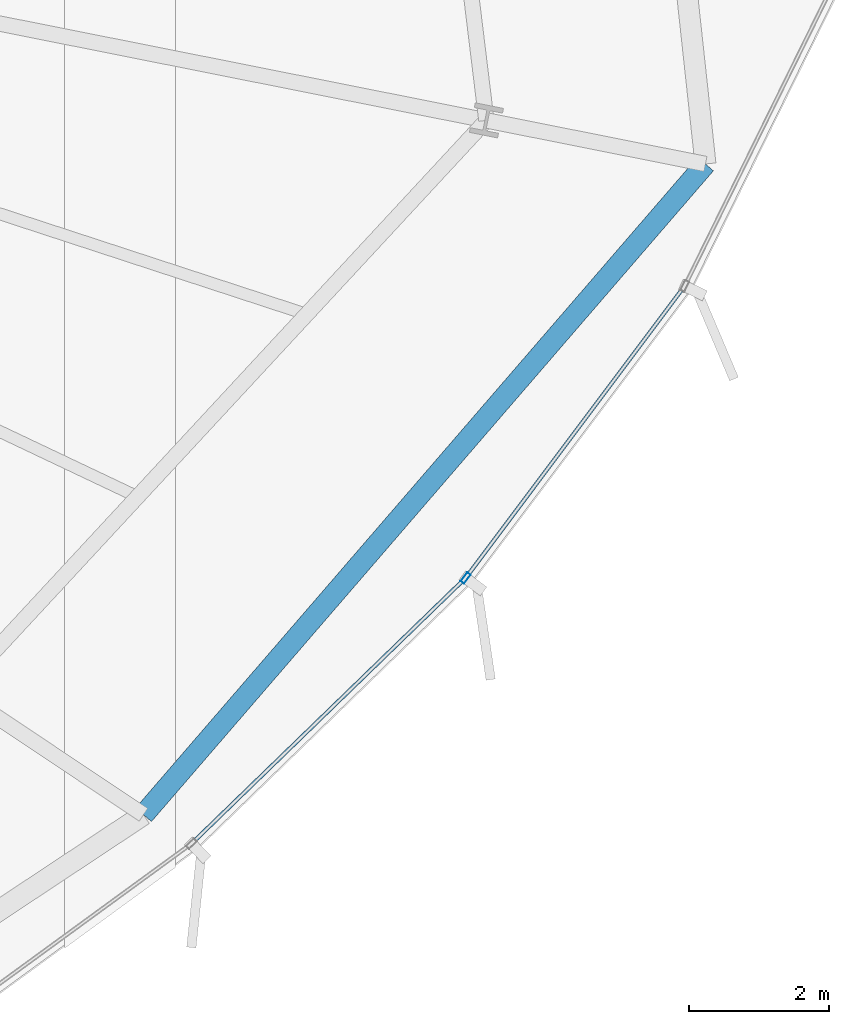
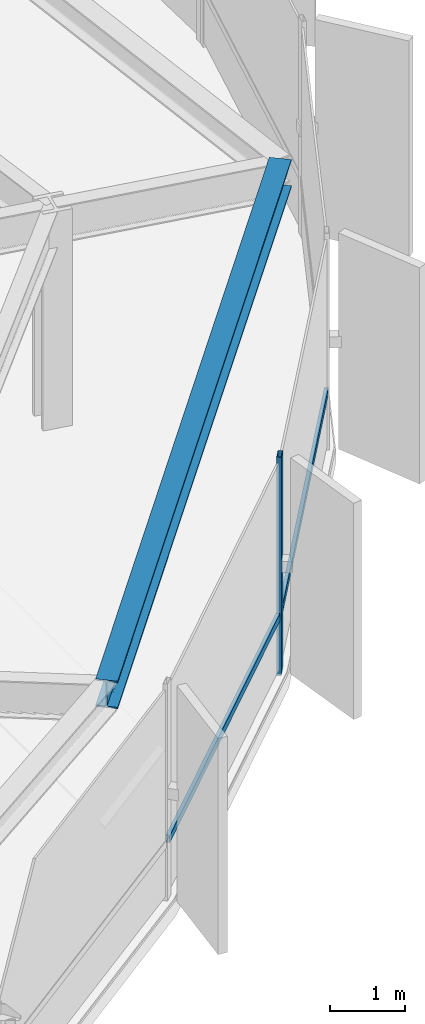
# One storey, part 13 of 38: 3 members, 1 beam, 1 element without a shape of its own.
"""IFC4 building model written with IfcOpenShell, lengths in metres."""

from ifc_helpers import new_model, si_unit, direction, frame, origin, origin_2d, place, context, subcontext, project, spatial, hollow_rectangle, i_section, extrude, source, transform, mapped, material, layer, layer_set, material_profile, profile_set, type_object, element, aggregate, save


model = new_model("IFC4")

# Units and contexts
model_context = context("Model", 3, precision=1e-05, world=origin(), true_north=direction((0.0, 1.0)))
body_context = subcontext(model_context, "Body", "Model", "MODEL_VIEW")
ifc_project = project(units=[si_unit("LENGTHUNIT", "METRE"), si_unit("AREAUNIT", "SQUARE_METRE"), si_unit("VOLUMEUNIT", "CUBIC_METRE"), si_unit("PLANEANGLEUNIT", "RADIAN"), si_unit("MASSUNIT", "GRAM", prefix="KILO"), si_unit("THERMODYNAMICTEMPERATUREUNIT", "KELVIN")], contexts=[model_context])

# Site, building, storey
site_placement = place(None, origin())
site = spatial("IfcSite", under=ifc_project, at=site_placement, CompositionType="ELEMENT")
building_placement = place(site_placement, origin())
building = spatial("IfcBuilding", under=site, at=building_placement, Name="Kethvar Cultural Tower", CompositionType="ELEMENT")
storey_placement = place(building_placement, frame((0.0, 0.0, 67.60009765625)))
storey = spatial("IfcBuildingStorey", under=building, at=storey_placement, Name="L16", CompositionType="ELEMENT", Elevation=67.60009765625)

# Beam
ifc_material_1 = material(Name="Steel S355J2", Category="steel")
ifc_material_profile_1 = material_profile(ifc_material_1, i_section(OverallWidth=0.300048828125, OverallDepth=0.449951171875, WebThickness=0.013916015625, FlangeThickness=0.02587890625, FilletRadius=0.027099609375, at=origin_2d()), Name="Steel S355J2 — HEB450")
ifc_profile_set_1 = profile_set([ifc_material_profile_1], Name="Steel S355J2 — HEB450")
beam_type = type_object("IfcBeamType", Name="BM-SP450", PredefinedType="SPANDREL", material=ifc_profile_set_1)
shared_shape_1 = source(origin(), body_context, "Body", "SweptSolid", [
    extrude(i_section(OverallWidth=0.300048828125, OverallDepth=0.449951171875, WebThickness=0.013916015625, FlangeThickness=0.02587890625, FilletRadius=0.027099609375, at=origin_2d()), origin(), (0.0, 0.0, 1.0), 12.3173828125),
])
beam_placement = place(storey_placement, frame((70.0791015625, 12.24560546875, 3.322998046875), z_axis=(0.653586327045, 0.756851975686, 0.0), x_axis=(-0.756851975686, 0.653586327045, 0.0)))
element("IfcBeam", 1, at=beam_placement, inside=storey, type_object=beam_type, Name="L16 Perimeter Spandrel Beam SP-15", PredefinedType="SPANDREL", context=body_context, shape_type="MappedRepresentation", body=[
    mapped(shared_shape_1, transform((0.0, 0.0, 0.0), scale=1.0)),
])

# Curtain wall, members
ifc_material_2 = material(Name="Aluminium 6063-T6", Category="aluminium")
ifc_layer = layer(ifc_material_2, 0.179931640625, Name="Aluminium 6063-T6", Category="aluminium")
ifc_layer_set = layer_set([ifc_layer], Name="Aluminium 6063-T6 (180 mm)")
curtain_wall_type = type_object("IfcCurtainWallType", Name="CW-SYS-02-Z1", PredefinedType="NOTDEFINED", material=ifc_layer_set)
curtain_wall_placement = place(storey_placement, origin())
curtain_wall = element("IfcCurtainWall", 2, at=curtain_wall_placement, inside=storey, type_object=curtain_wall_type, Name="L16 Curtain Wall Run 06", PredefinedType="NOTDEFINED")
ifc_material_profile_2 = material_profile(ifc_material_2, hollow_rectangle(XDim=0.06494140625, YDim=0.159912109375, WallThickness=0.0048828125, at=origin_2d()), Name="Aluminium 6063-T6 — RHS160x65x5")
ifc_profile_set_2 = profile_set([ifc_material_profile_2], Name="Aluminium 6063-T6 — RHS160x65x5")
member_type_1 = type_object("IfcMemberType", Name="CW-SYS-02-Z1-MUL", PredefinedType="MULLION", material=ifc_profile_set_2)
shared_shape_2 = source(origin(), body_context, "Body", "SweptSolid", [
    extrude(hollow_rectangle(XDim=0.06494140625, YDim=0.159912109375, WallThickness=0.0048828125, at=origin_2d()), origin(), (0.0, 0.0, 1.0), 3.5498046875),
])
member_1_placement = place(storey_placement, frame((74.69384765625, 15.63671875, 0.0), z_axis=(0.0, 0.0, 1.0), x_axis=(-0.800082696354, 0.599889722362, 0.0)))
member_1 = element("IfcMember", 3, at=member_1_placement, type_object=member_type_1, Name="CW-L16-R06 Mullion 4", PredefinedType="MULLION", context=body_context, shape_type="MappedRepresentation", body=[
    mapped(shared_shape_2, transform((0.0, 0.0, 0.0), scale=1.0)),
])
ifc_material_profile_3 = material_profile(ifc_material_2, hollow_rectangle(XDim=0.054931640625, YDim=0.1201171875, WallThickness=0.00390625, at=origin_2d()), Name="Aluminium 6063-T6 — RHS120x55x4")
ifc_profile_set_3 = profile_set([ifc_material_profile_3], Name="Aluminium 6063-T6 — RHS120x55x4")
member_type_2 = type_object("IfcMemberType", Name="CW-SYS-02-Z1-TRN", PredefinedType="USERDEFINED", material=ifc_profile_set_3)
shared_shape_3 = source(origin(), body_context, "Body", "SweptSolid", [
    extrude(hollow_rectangle(XDim=0.054931640625, YDim=0.1201171875, WallThickness=0.00390625, at=origin_2d()), origin(), (0.0, 0.0, 1.0), 5.157958984375),
])
member_2_placement = place(storey_placement, frame((74.721923828125, 15.674072265625, 0.949951171875), z_axis=(0.599901542308, 0.800073833803, 0.0), x_axis=(-0.800073833803, 0.599901542308, 0.0)))
member_2 = element("IfcMember", 4, at=member_2_placement, type_object=member_type_2, Name="CW-L16-R06 Transom 4", ObjectType="TRANSOM", PredefinedType="USERDEFINED", context=body_context, shape_type="MappedRepresentation", body=[
    mapped(shared_shape_3, transform((0.0, 0.0, 0.0), scale=1.0)),
])
shared_shape_4 = source(origin(), body_context, "Body", "SweptSolid", [
    extrude(hollow_rectangle(XDim=0.054931640625, YDim=0.1201171875, WallThickness=0.00390625, at=origin_2d()), origin(), (0.0, 0.0, 1.0), 5.394775390625),
])
member_3_placement = place(storey_placement, frame((70.7998046875, 11.863037109375, 0.949951171875), z_axis=(0.717929177999, 0.696116150781, 0.0), x_axis=(-0.696116150781, 0.717929177999, 0.0)))
member_3 = element("IfcMember", 5, at=member_3_placement, type_object=member_type_2, Name="CW-L16-R06 Transom 3", ObjectType="TRANSOM", PredefinedType="USERDEFINED", context=body_context, shape_type="MappedRepresentation", body=[
    mapped(shared_shape_4, transform((0.0, 0.0, 0.0), scale=1.0)),
])
aggregate(curtain_wall, [member_1, member_3, member_2])

save(model, "model.ifc")
